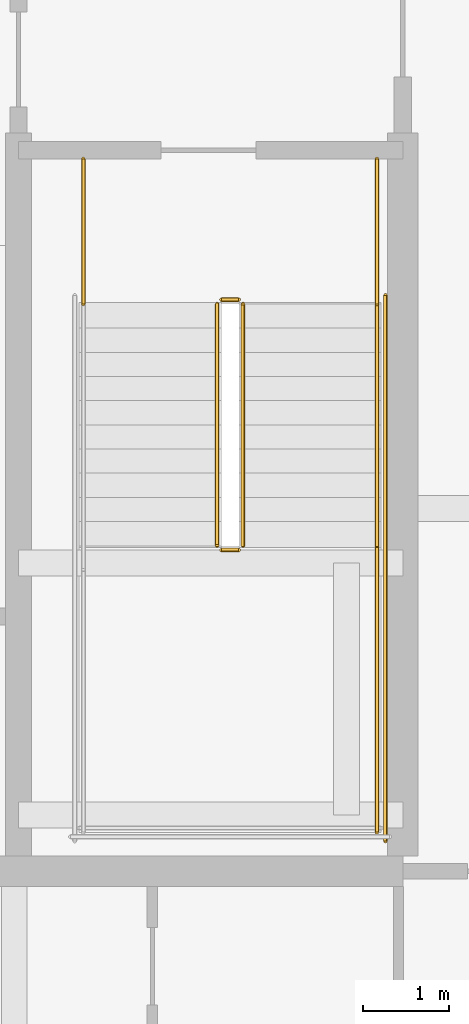
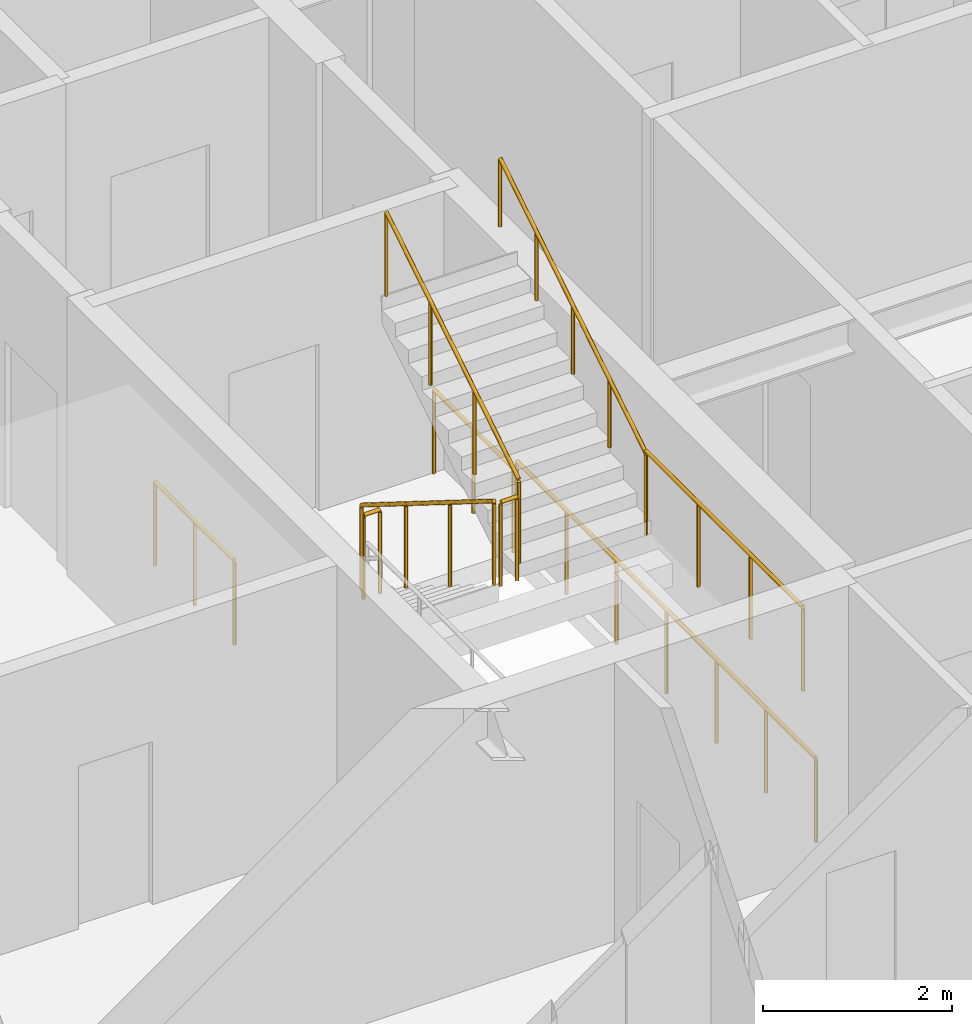
# One storey, part 36 of 38: 9 railings.
"""IFC4 building model written with IfcOpenShell, lengths in metres."""

from ifc_helpers import new_model, si_unit, direction, frame, origin, origin_2d, place, context, subcontext, project, spatial, circle, extrude, material, type_object, element, save


model = new_model("IFC4")

# Units and contexts
model_context = context("Model", 3, precision=1e-05, world=origin(), true_north=direction((0.0, 1.0)))
body_context = subcontext(model_context, "Body", "Model", "MODEL_VIEW")
ifc_project = project(units=[si_unit("LENGTHUNIT", "METRE"), si_unit("AREAUNIT", "SQUARE_METRE"), si_unit("VOLUMEUNIT", "CUBIC_METRE"), si_unit("PLANEANGLEUNIT", "RADIAN"), si_unit("MASSUNIT", "GRAM", prefix="KILO")], contexts=[model_context])

# Site, building, storey
site_placement = place(None, origin())
site = spatial("IfcSite", under=ifc_project, at=site_placement, CompositionType="ELEMENT")
building_placement = place(site_placement, origin())
building = spatial("IfcBuilding", under=site, at=building_placement, Name="Serunith Strait Residences", CompositionType="ELEMENT")
storey_placement = place(building_placement, frame((0.0, 0.0, 241.25)))
storey = spatial("IfcBuildingStorey", under=building, at=storey_placement, Name="L60", CompositionType="ELEMENT", Elevation=241.25)

# Railings
ifc_material = material(Name="Brushed stainless steel 316L", Category="steel")
railing_type_1 = type_object("IfcRailingType", Name="RLG-STAIR-GUARD", PredefinedType="BALUSTRADE", material=ifc_material)
railing_1_placement = place(storey_placement, frame((39.25, 23.3701171875, 0.175048828125)))
element("IfcRailing", 1, at=railing_1_placement, inside=storey, type_object=railing_type_1, Name="L60 ST-2 stair guard 1", PredefinedType="BALUSTRADE", context=body_context, shape_type="SweptSolid", body=[
    extrude(circle(Radius=0.02392578125, at=origin_2d()), frame((0.0, -0.001708984375, 1.0771484375), z_axis=(0.0, -0.848002457836, 0.529992293815), x_axis=(1.0, 0.0, 0.0)), (0.0, 0.0, 1.0), 3.2978515625),
    extrude(circle(Radius=0.02099609375, at=origin_2d()), origin(), (0.0, 0.0, 1.0), 1.050048828125),
    extrude(circle(Radius=0.02099609375, at=origin_2d()), frame((0.0, -0.933349609375, 0.583251953125)), (0.0, 0.0, 1.0), 1.050048828125),
    extrude(circle(Radius=0.02099609375, at=origin_2d()), frame((0.0, -1.86669921875, 1.166748046875)), (0.0, 0.0, 1.0), 1.050048828125),
    extrude(circle(Radius=0.02099609375, at=origin_2d()), frame((0.0, -2.800048828125, 1.75)), (0.0, 0.0, 1.0), 1.050048828125),
])
railing_2_placement = place(storey_placement, frame((39.300048828125, 20.52001953125, 1.925048828125)))
element("IfcRailing", 2, at=railing_2_placement, inside=storey, type_object=railing_type_1, Name="L60 ST-2 stair guard 2", PredefinedType="BALUSTRADE", context=body_context, shape_type="SweptSolid", body=[
    extrude(circle(Radius=0.02392578125, at=origin_2d()), frame((0.001953125, 0.0, 1.076171875), z_axis=(1.0, 0.0, 0.0), x_axis=(0.0, 1.0, 0.0)), (0.0, 0.0, 1.0), 0.196044921875),
    extrude(circle(Radius=0.02099609375, at=origin_2d()), origin(), (0.0, 0.0, 1.0), 1.050048828125),
    extrude(circle(Radius=0.02099609375, at=origin_2d()), frame((0.199951171875, 0.0, 0.0)), (0.0, 0.0, 1.0), 1.050048828125),
])
railing_3_placement = place(storey_placement, frame((41.10009765625, 20.570068359375, 1.925048828125)))
element("IfcRailing", 3, at=railing_3_placement, inside=storey, type_object=railing_type_1, Name="L60 ST-2 stair guard 4", PredefinedType="BALUSTRADE", context=body_context, shape_type="SweptSolid", body=[
    extrude(circle(Radius=0.02392578125, at=origin_2d()), frame((0.0, -0.001953125, 1.076171875), z_axis=(0.0, -1.0, 0.0), x_axis=(1.0, 0.0, 0.0)), (0.0, 0.0, 1.0), 3.316162109375),
    extrude(circle(Radius=0.02099609375, at=origin_2d()), origin(), (0.0, 0.0, 1.0), 1.050048828125),
    extrude(circle(Radius=0.02099609375, at=origin_2d()), frame((0.0, -1.106689453125, 0.0)), (0.0, 0.0, 1.0), 1.050048828125),
    extrude(circle(Radius=0.02099609375, at=origin_2d()), frame((0.0, -2.21337890625, 0.0)), (0.0, 0.0, 1.0), 1.050048828125),
    extrude(circle(Radius=0.02099609375, at=origin_2d()), frame((0.0, -3.320068359375, 0.0)), (0.0, 0.0, 1.0), 1.050048828125),
])
railing_4_placement = place(storey_placement, frame((39.550048828125, 20.570068359375, 2.10009765625)))
element("IfcRailing", 4, at=railing_4_placement, inside=storey, type_object=railing_type_1, Name="L60 ST-2 stair guard 6", PredefinedType="BALUSTRADE", context=body_context, shape_type="SweptSolid", body=[
    extrude(circle(Radius=0.02392578125, at=origin_2d()), frame((0.0, 0.001708984375, 1.0771484375), z_axis=(0.0, 0.848002457836, 0.529992293815), x_axis=(-1.0, 0.0, 0.0)), (0.0, 0.0, 1.0), 3.2978515625),
    extrude(circle(Radius=0.02099609375, at=origin_2d()), origin(), (0.0, 0.0, 1.0), 1.050048828125),
    extrude(circle(Radius=0.02099609375, at=origin_2d()), frame((0.0, 0.933349609375, 0.583251953125)), (0.0, 0.0, 1.0), 1.050048828125),
    extrude(circle(Radius=0.02099609375, at=origin_2d()), frame((0.0, 1.86669921875, 1.166748046875)), (0.0, 0.0, 1.0), 1.050048828125),
    extrude(circle(Radius=0.02099609375, at=origin_2d()), frame((0.0, 2.800048828125, 1.75)), (0.0, 0.0, 1.0), 1.050048828125),
])
railing_5_placement = place(storey_placement, frame((39.300048828125, 23.419921875, 0.0)))
element("IfcRailing", 5, at=railing_5_placement, inside=storey, type_object=railing_type_1, Name="L60 ST-2 stair guard 7", PredefinedType="BALUSTRADE", context=body_context, shape_type="SweptSolid", body=[
    extrude(circle(Radius=0.02392578125, at=origin_2d()), frame((0.001953125, 0.0, 1.076171875), z_axis=(1.0, 0.0, 0.0), x_axis=(0.0, 1.0, 0.0)), (0.0, 0.0, 1.0), 0.196044921875),
    extrude(circle(Radius=0.02099609375, at=origin_2d()), origin(), (0.0, 0.0, 1.0), 1.050048828125),
    extrude(circle(Radius=0.02099609375, at=origin_2d()), frame((0.199951171875, 0.0, 0.0)), (0.0, 0.0, 1.0), 1.050048828125),
])
for number, where, name in (
    (6, (37.699951171875, 25.050048828125, 0.0), "L60 ST-2 stair guard 8"),
    (7, (41.10009765625, 25.050048828125, 0.0), "L60 ST-2 stair guard 9"),
):
    element("IfcRailing", number, at=place(storey_placement, frame(where)), inside=storey, type_object=railing_type_1, Name=name, PredefinedType="BALUSTRADE", context=body_context, shape_type="SweptSolid", body=[
        extrude(circle(Radius=0.02392578125, at=origin_2d()), frame((0.0, -0.001953125, 1.076171875), z_axis=(0.0, -1.0, 0.0), x_axis=(1.0, 0.0, 0.0)), (0.0, 0.0, 1.0), 1.676025390625),
        extrude(circle(Radius=0.02099609375, at=origin_2d()), origin(), (0.0, 0.0, 1.0), 1.050048828125),
        extrude(circle(Radius=0.02099609375, at=origin_2d()), frame((0.0, -0.83984375, 0.0)), (0.0, 0.0, 1.0), 1.050048828125),
        extrude(circle(Radius=0.02099609375, at=origin_2d()), frame((0.0, -1.679931640625, 0.0)), (0.0, 0.0, 1.0), 1.050048828125),
    ])
railing_6_placement = place(storey_placement, frame((41.199951171875, 23.469970703125, 0.0)))
element("IfcRailing", 8, at=railing_6_placement, inside=storey, type_object=railing_type_1, Name="L60 ST-2 stair guard 11", PredefinedType="BALUSTRADE", context=body_context, shape_type="SweptSolid", body=[
    extrude(circle(Radius=0.02392578125, at=origin_2d()), frame((0.0, -0.001953125, 1.076171875), z_axis=(0.0, -1.0, 0.0), x_axis=(1.0, 0.0, 0.0)), (0.0, 0.0, 1.0), 6.316162109375),
    extrude(circle(Radius=0.02099609375, at=origin_2d()), origin(), (0.0, 0.0, 1.0), 1.050048828125),
    extrude(circle(Radius=0.02099609375, at=origin_2d()), frame((0.0, -1.05322265625, 0.0)), (0.0, 0.0, 1.0), 1.050048828125),
    extrude(circle(Radius=0.02099609375, at=origin_2d()), frame((0.0, -2.106689453125, 0.0)), (0.0, 0.0, 1.0), 1.050048828125),
    extrude(circle(Radius=0.02099609375, at=origin_2d()), frame((0.0, -3.16015625, 0.0)), (0.0, 0.0, 1.0), 1.050048828125),
    extrude(circle(Radius=0.02099609375, at=origin_2d()), frame((0.0, -4.21337890625, 0.0)), (0.0, 0.0, 1.0), 1.050048828125),
    extrude(circle(Radius=0.02099609375, at=origin_2d()), frame((0.0, -5.2666015625, 0.0)), (0.0, 0.0, 1.0), 1.050048828125),
    extrude(circle(Radius=0.02099609375, at=origin_2d()), frame((0.0, -6.320068359375, 0.0)), (0.0, 0.0, 1.0), 1.050048828125),
])
railing_type_2 = type_object("IfcRailingType", Name="RLG-STAIR-HR", PredefinedType="HANDRAIL", material=ifc_material)
railing_7_placement = place(storey_placement, frame((41.10009765625, 20.570068359375, 2.10009765625)))
element("IfcRailing", 9, at=railing_7_placement, inside=storey, type_object=railing_type_2, Name="L60 ST-2 stair handrail 2", PredefinedType="HANDRAIL", context=body_context, shape_type="SweptSolid", body=[
    extrude(circle(Radius=0.02392578125, at=origin_2d()), frame((0.0, 0.001708984375, 0.876953125), z_axis=(0.0, 0.847375056783, 0.530994833442), x_axis=(-1.0, 0.0, 0.0)), (0.0, 0.0, 1.0), 3.630615234375),
    extrude(circle(Radius=0.02099609375, at=origin_2d()), origin(), (0.0, 0.0, 1.0), 0.849853515625),
    extrude(circle(Radius=0.02099609375, at=origin_2d()), frame((0.0, 0.77001953125, 0.482421875)), (0.0, 0.0, 1.0), 0.849853515625),
    extrude(circle(Radius=0.02099609375, at=origin_2d()), frame((0.0, 1.5400390625, 0.96484375)), (0.0, 0.0, 1.0), 0.849853515625),
    extrude(circle(Radius=0.02099609375, at=origin_2d()), frame((0.0, 2.309814453125, 1.447509765625)), (0.0, 0.0, 1.0), 0.849853515625),
    extrude(circle(Radius=0.02099609375, at=origin_2d()), frame((0.0, 3.079833984375, 1.929931640625)), (0.0, 0.0, 1.0), 0.849853515625),
])

save(model, "model.ifc")
